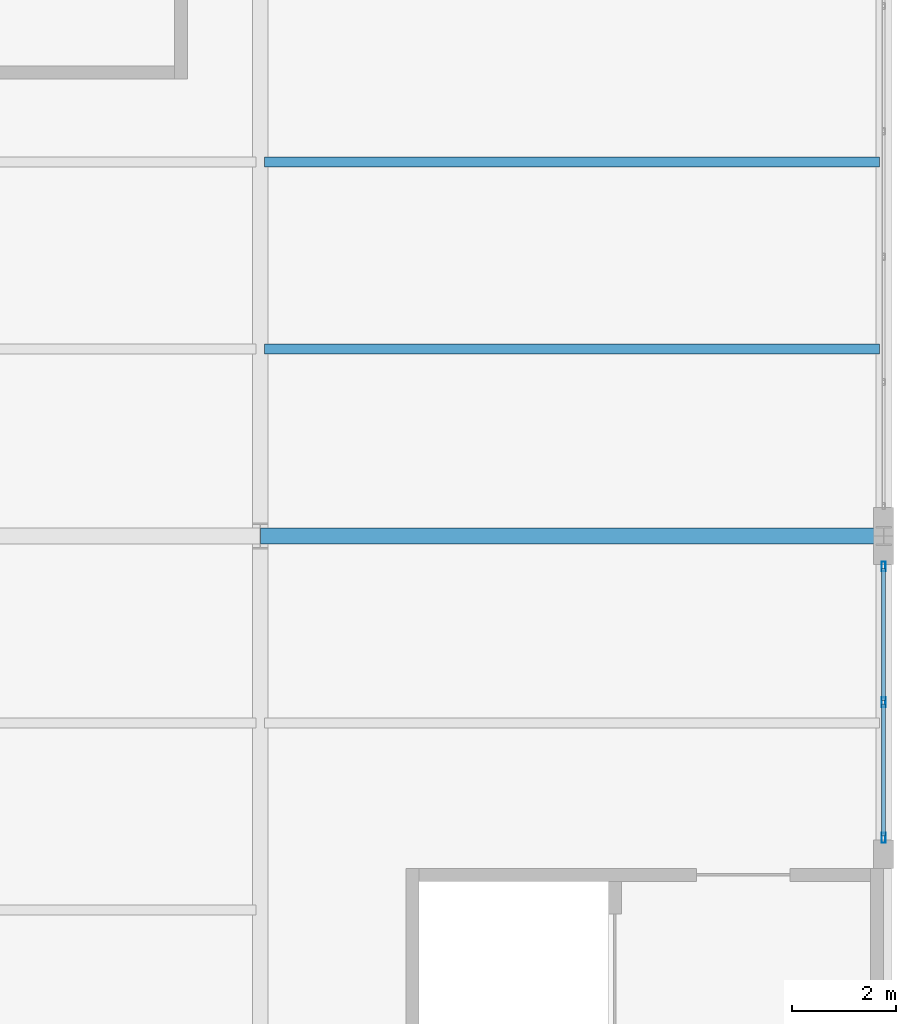
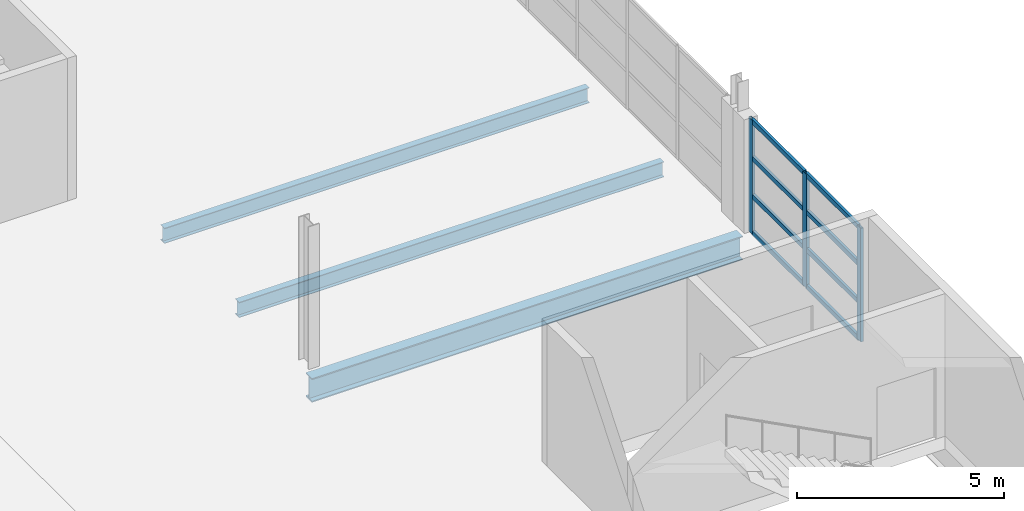
# One storey, part 106 of 147: 11 members, 3 beams, 1 element without a shape of its own.
"""IFC4 building model written with IfcOpenShell, lengths in metres."""

import ifcopenshell
import ifcopenshell.guid

model = None  # the IFC model being written
_history = None  # IfcOwnerHistory: only IFC2X3 demands one
_inside = {}  # id of a spatial element -> (the spatial element, [elements in it])
_under = {}  # id of a project, library or spatial element -> (it, [spatial elements below it])
_declared = {}  # id of a project -> (the project, [libraries it declares])
_typed = {}  # id of a type object -> (the type object, [elements of that type])
_made_of = {}  # id of a material, layer set ... -> (it, [elements and type objects made of it])


def new_model(schema):
    """Start an empty IFC model of exactly this schema.

    Asked for "IFC4X3", IfcOpenShell would pick the latest addendum, in which some entities
    have other attributes; the version numbers below select the first issue.
    IFC2X3 requires an IfcOwnerHistory on every rooted entity: one is made here for all.
    """
    global model, _history
    if schema == "IFC4X3":
        model = ifcopenshell.file(schema_version=(4, 3, 0, 0))
    else:
        model = ifcopenshell.file(schema=schema)
    _inside.clear()
    _under.clear()
    _declared.clear()
    _typed.clear()
    _made_of.clear()
    _history = None
    if model.schema == "IFC2X3":
        org = make("IfcOrganization", Name="unknown")
        user = make(
            "IfcPersonAndOrganization",
            ThePerson=make("IfcPerson", FamilyName="unknown"),
            TheOrganization=org,
        )
        app = make(
            "IfcApplication",
            ApplicationDeveloper=org,
            Version="unknown",
            ApplicationFullName="unknown",
            ApplicationIdentifier="unknown",
        )
        _history = make(
            "IfcOwnerHistory",
            OwningUser=user,
            OwningApplication=app,
            ChangeAction="ADDED",
            CreationDate=0,
        )
    return model


def make(cls, **values):
    """One entity of the class cls with the attributes given. An attribute that is None is left unset."""
    return model.create_entity(
        cls, **{name: value for name, value in values.items() if value is not None}
    )


def rooted(cls, **values):
    """An entity with a GlobalId (a new one), such as an element, a storey or a relation."""
    return make(cls, GlobalId=ifcopenshell.guid.new(), OwnerHistory=_history, **values)


def si_unit(unit_type, name, prefix=None):
    """IfcSIUnit, for example si_unit("LENGTHUNIT", "METRE", prefix="MILLI")."""
    return make("IfcSIUnit", UnitType=unit_type, Prefix=prefix, Name=name)


def assignment(units):
    """IfcUnitAssignment: the units of a project."""
    return None if units is None else make("IfcUnitAssignment", Units=units)


def point(xyz):
    """IfcCartesianPoint."""
    return None if xyz is None else make("IfcCartesianPoint", Coordinates=xyz)


def direction(xyz):
    """IfcDirection."""
    return None if xyz is None else make("IfcDirection", DirectionRatios=xyz)


def frame(location, z_axis=None, x_axis=None):
    """IfcAxis2Placement3D, a coordinate frame: its origin and axes. An axis left out is left unset."""
    return make(
        "IfcAxis2Placement3D",
        Location=point(location),
        Axis=direction(z_axis),
        RefDirection=direction(x_axis),
    )


def frame_2d(location, x_axis=None):
    """IfcAxis2Placement2D, a coordinate frame in the plane: its origin and x axis."""
    return make(
        "IfcAxis2Placement2D", Location=point(location), RefDirection=direction(x_axis)
    )


def origin():
    """The frame at (0, 0, 0) with its axes left unset."""
    return frame((0.0, 0.0, 0.0))


def origin_2d():
    """The frame at (0, 0) in the plane with its x axis left unset."""
    return frame_2d((0.0, 0.0))


def place(relative_to, where):
    """IfcLocalPlacement: puts the frame where relative to a parent placement (None: the world)."""
    return make(
        "IfcLocalPlacement", PlacementRelTo=relative_to, RelativePlacement=where
    )


def context(
    kind, dimensions, precision=None, world=None, true_north=None, identifier=None
):
    """IfcGeometricRepresentationContext, for example the 3D "Model" context."""
    return make(
        "IfcGeometricRepresentationContext",
        ContextIdentifier=identifier,
        ContextType=kind,
        CoordinateSpaceDimension=dimensions,
        Precision=precision,
        WorldCoordinateSystem=world,
        TrueNorth=true_north,
    )


def subcontext(parent, identifier, kind, view, scale=None):
    """IfcGeometricRepresentationSubContext, for example "Body" below "Model"."""
    return make(
        "IfcGeometricRepresentationSubContext",
        ContextIdentifier=identifier,
        ContextType=kind,
        ParentContext=parent,
        TargetScale=scale,
        TargetView=view,
    )


def project(units=None, contexts=None):
    """IfcProject with its units and contexts."""
    return rooted(
        "IfcProject",
        Name="project",
        RepresentationContexts=contexts,
        UnitsInContext=assignment(units),
    )


def spatial(cls, under=None, at=None, **own):
    """A site, building, storey or space (cls), placed at a placement, below another one or the project."""
    s = rooted(cls, ObjectPlacement=at, **own)
    if under is not None:
        _under.setdefault(under.id(), (under, []))[1].append(s)
    return s


def profile(cls, at=None, kind="AREA", **sizes):
    """A parametric profile (cls). Its sizes go by their IFC names, for example OverallWidth=200.0."""
    return make(cls, ProfileType=kind, Position=at, **sizes)


def hollow_rectangle(**sizes):
    """IfcRectangleHollowProfileDef."""
    return profile("IfcRectangleHollowProfileDef", **sizes)


def i_section(**sizes):
    """IfcIShapeProfileDef."""
    return profile("IfcIShapeProfileDef", **sizes)


def extrude(swept, where, along, depth):
    """IfcExtrudedAreaSolid: the profile swept, set in the frame where, extruded along a direction by depth."""
    return make(
        "IfcExtrudedAreaSolid",
        SweptArea=swept,
        Position=where,
        ExtrudedDirection=direction(along),
        Depth=depth,
    )


def shape(context_of_items, identifier, shape_type, items):
    """IfcShapeRepresentation: the items that make up one representation, for example the "Body"."""
    return make(
        "IfcShapeRepresentation",
        ContextOfItems=context_of_items,
        RepresentationIdentifier=identifier,
        RepresentationType=shape_type,
        Items=items,
    )


def material(Name=None, Category=None):
    """IfcMaterial."""
    return make("IfcMaterial", Name=Name, Category=Category)


def layer(
    of_material, thickness, ventilated=None, Name=None, Category=None, Priority=None
):
    """IfcMaterialLayer: one layer of a wall or slab, of a material (None: an air gap)."""
    return make(
        "IfcMaterialLayer",
        Material=of_material,
        LayerThickness=thickness,
        IsVentilated=ventilated,
        Name=Name,
        Category=Category,
        Priority=Priority,
    )


def layer_set(layers, Name=None):
    """IfcMaterialLayerSet."""
    return make("IfcMaterialLayerSet", MaterialLayers=layers, LayerSetName=Name)


def material_profile(
    of_material, cross_section, Name=None, Category=None, Priority=None
):
    """IfcMaterialProfile: a cross section and its material."""
    return make(
        "IfcMaterialProfile",
        Name=Name,
        Material=of_material,
        Profile=cross_section,
        Priority=Priority,
        Category=Category,
    )


def profile_set(profiles, Name=None, composite=None):
    """IfcMaterialProfileSet."""
    return make(
        "IfcMaterialProfileSet",
        Name=Name,
        MaterialProfiles=profiles,
        CompositeProfile=composite,
    )


def made_of(thing, what):
    """Note that an element or type object is made of a material, layer set ...; save() writes the relation."""
    if what is not None:
        _made_of.setdefault(what.id(), (what, []))[1].append(thing)
    return thing


def type_object(cls, material=None, **own):
    """A type object (cls), such as IfcWallType, which elements share."""
    return made_of(rooted(cls, **own), material)


def element(
    cls,
    number,
    at=None,
    inside=None,
    cuts=None,
    type_object=None,
    material=None,
    context=None,
    identifier="Body",
    shape_type=None,
    held_by="IfcProductDefinitionShape",
    body=None,
    shapes=None,
    **own,
):
    """One element of the class cls, such as IfcWall. Its Tag is "e" and its number.

    at: its placement. inside: the storey or other place that contains it. cuts: it is an
    opening in that element (IfcRelVoidsElement). A single representation is given by context,
    identifier, shape_type and body (its items); several are given by shapes. held_by: the class
    of the entity that holds the representations. save() writes the other relations.
    """
    e = rooted(cls, Tag="e%d" % number, ObjectPlacement=at, **own)
    if body is not None:
        shapes = [shape(context, identifier, shape_type, body)]
    if shapes is not None:
        e.Representation = make(held_by, Representations=shapes)
    if inside is not None:
        _inside.setdefault(inside.id(), (inside, []))[1].append(e)
    if cuts is not None:
        rooted(
            "IfcRelVoidsElement", RelatingBuildingElement=cuts, RelatedOpeningElement=e
        )
    if type_object is not None:
        _typed.setdefault(type_object.id(), (type_object, []))[1].append(e)
    return made_of(e, material)


def aggregate(whole, parts):
    """IfcRelAggregates: a whole, such as a stair, and the parts it consists of."""
    return rooted("IfcRelAggregates", RelatingObject=whole, RelatedObjects=parts)


def save(model, path):
    """Write the relations noted so far, then the file.

    IfcRelAggregates (storeys below a building ...), IfcRelContainedInSpatialStructure (elements
    in a storey), IfcRelDefinesByType, IfcRelAssociatesMaterial and IfcRelDeclares: one each for
    every whole, place, type object, material and project.
    """
    for whole, parts in _under.values():
        aggregate(whole, parts)
    for where, things in _inside.values():
        rooted(
            "IfcRelContainedInSpatialStructure",
            RelatedElements=things,
            RelatingStructure=where,
        )
    for kind, things in _typed.values():
        rooted("IfcRelDefinesByType", RelatedObjects=things, RelatingType=kind)
    for what, things in _made_of.values():
        rooted("IfcRelAssociatesMaterial", RelatedObjects=things, RelatingMaterial=what)
    for by, libraries in _declared.values():
        rooted("IfcRelDeclares", RelatingContext=by, RelatedDefinitions=libraries)
    model.write(path)


model = new_model("IFC4")

# Units and contexts
model_context = context("Model", 3, precision=1e-05, world=origin(), true_north=direction((0.0, 1.0)))
body_context = subcontext(model_context, "Body", "Model", "MODEL_VIEW")
ifc_project = project(units=[si_unit("LENGTHUNIT", "METRE"), si_unit("AREAUNIT", "SQUARE_METRE"), si_unit("VOLUMEUNIT", "CUBIC_METRE"), si_unit("PLANEANGLEUNIT", "RADIAN"), si_unit("MASSUNIT", "GRAM", prefix="KILO")], contexts=[model_context])

# Site, building, storey
site_placement = place(None, origin())
site = spatial("IfcSite", under=ifc_project, at=site_placement, CompositionType="ELEMENT")
building_placement = place(site_placement, origin())
building = spatial("IfcBuilding", under=site, at=building_placement, Name="Zilviju Railside Exhibition Hall", CompositionType="ELEMENT")
storey_placement = place(building_placement, frame((0.0, 0.0, 8.39990234375)))
storey = spatial("IfcBuildingStorey", under=building, at=storey_placement, Name="L03", CompositionType="ELEMENT", Elevation=8.39990234375)

# Beams
ifc_material_1 = material(Name="Steel S355J2", Category="steel")
ifc_material_profile_1 = material_profile(ifc_material_1, i_section(OverallWidth=0.300048828125, OverallDepth=0.699951171875, WebThickness=0.01708984375, FlangeThickness=0.031982421875, at=origin_2d()), Name="HEB 700")
ifc_profile_set_1 = profile_set([ifc_material_profile_1], Name="Steel S355J2")
beam_type_1 = type_object("IfcBeamType", Name="BM-HEB700", PredefinedType="BEAM", material=ifc_profile_set_1)
beam_placement = place(storey_placement, frame((204.0, 120.0, -0.72998046875), z_axis=(1.0, 0.0, 0.0), x_axis=(0.0, 1.0, 0.0)))
element("IfcBeam", 1, at=beam_placement, inside=storey, type_object=beam_type_1, Name="Primary Girder L03 Y=120.0 (204.0..216.0)", PredefinedType="BEAM", context=body_context, shape_type="SweptSolid", body=[
    extrude(i_section(OverallWidth=0.300048828125, OverallDepth=0.699951171875, WebThickness=0.01708984375, FlangeThickness=0.031982421875, at=origin_2d()), origin(), (0.0, 0.0, 1.0), 12.0),
])
ifc_material_profile_2 = material_profile(ifc_material_1, i_section(OverallWidth=0.18994140625, OverallDepth=0.449951171875, WebThickness=0.009521484375, FlangeThickness=0.0146484375, at=origin_2d()), Name="IPE 450")
ifc_profile_set_2 = profile_set([ifc_material_profile_2], Name="Steel S355J2")
beam_type_2 = type_object("IfcBeamType", Name="BM-IPE450", PredefinedType="JOIST", material=ifc_profile_set_2)
for number, where, z_axis, x_axis, name in (
    (2, (204.080078125, 123.60009765625, -0.60498046875), (1.0, 0.0, 0.0), (0.0, 1.0, 0.0), "Composite Floor Joist L03 Y=123.60 (204.0..216.0)"),
    (3, (204.080078125, 127.199951171875, -0.60498046875), (1.0, 0.0, 0.0), (0.0, 1.0, 0.0), "Composite Floor Joist L03 Y=127.20 (204.0..216.0)"),
):
    element("IfcBeam", number, at=place(storey_placement, frame(where, z_axis=z_axis, x_axis=x_axis)), inside=storey, type_object=beam_type_2, Name=name, PredefinedType="JOIST", context=body_context, shape_type="SweptSolid", body=[
        extrude(i_section(OverallWidth=0.18994140625, OverallDepth=0.449951171875, WebThickness=0.009521484375, FlangeThickness=0.0146484375, at=origin_2d()), origin(), (0.0, 0.0, 1.0), 11.83984375),
    ])

# Curtain wall, members
ifc_material_2 = material(Name="Thermally broken aluminium-steel triple-glazed curtain wall", Category="steel")
ifc_layer = layer(ifc_material_2, 0.179931640625)
ifc_layer_set = layer_set([ifc_layer], Name="Thermally broken aluminium-steel triple-glazed curtain wall")
curtain_wall_type = type_object("IfcCurtainWallType", Name="CW-BAY-09", PredefinedType="USERDEFINED", material=ifc_layer_set)
curtain_wall_placement = place(storey_placement, origin())
curtain_wall = element("IfcCurtainWall", 4, at=curtain_wall_placement, inside=storey, type_object=curtain_wall_type, Name="North Hall East Glazed Gable L03 (114..120)", ObjectType="GLAZED CURTAIN WALL", PredefinedType="USERDEFINED")
ifc_material_3 = material(Name="Thermally broken anodized aluminium mullion", Category="aluminium")
ifc_material_profile_3 = material_profile(ifc_material_3, hollow_rectangle(XDim=0.074951171875, YDim=0.18994140625, WallThickness=0.0048828125, at=origin_2d()), Name="MULLION 190x75x5")
ifc_profile_set_3 = profile_set([ifc_material_profile_3], Name="Thermally broken anodized aluminium mullion")
member_type_1 = type_object("IfcMemberType", Name="CWM-75x190", PredefinedType="MULLION", material=ifc_profile_set_3)
member_1_placement = place(storey_placement, frame((216.0, 119.41259765625, 0.0), z_axis=(0.0, 0.0, 1.0), x_axis=(1.0, 0.0, 0.0)))
member_1 = element("IfcMember", 5, at=member_1_placement, type_object=member_type_1, Name="CW-09 mullion 1", PredefinedType="MULLION", context=body_context, shape_type="SweptSolid", body=[
    extrude(hollow_rectangle(XDim=0.074951171875, YDim=0.18994140625, WallThickness=0.0048828125, at=origin_2d()), origin(), (0.0, 0.0, 1.0), 3.35009765625),
])
member_2_placement = place(storey_placement, frame((216.0, 116.800048828125, 0.0), z_axis=(0.0, 0.0, 1.0), x_axis=(1.0, 0.0, 0.0)))
member_2 = element("IfcMember", 6, at=member_2_placement, type_object=member_type_1, Name="CW-09 mullion 2", PredefinedType="MULLION", context=body_context, shape_type="SweptSolid", body=[
    extrude(hollow_rectangle(XDim=0.074951171875, YDim=0.18994140625, WallThickness=0.0048828125, at=origin_2d()), origin(), (0.0, 0.0, 1.0), 3.35009765625),
])
member_3_placement = place(storey_placement, frame((216.0, 114.1875, 0.0), z_axis=(0.0, 0.0, 1.0), x_axis=(1.0, 0.0, 0.0)))
member_3 = element("IfcMember", 7, at=member_3_placement, type_object=member_type_1, Name="CW-09 mullion 3", PredefinedType="MULLION", context=body_context, shape_type="SweptSolid", body=[
    extrude(hollow_rectangle(XDim=0.074951171875, YDim=0.18994140625, WallThickness=0.0048828125, at=origin_2d()), origin(), (0.0, 0.0, 1.0), 3.35009765625),
])
ifc_material_4 = material(Name="Thermally broken anodized aluminium transom", Category="aluminium")
ifc_material_profile_4 = material_profile(ifc_material_4, hollow_rectangle(XDim=0.074951171875, YDim=0.139892578125, WallThickness=0.0048828125, at=origin_2d()), Name="TRANSOM 140x75x5")
ifc_profile_set_4 = profile_set([ifc_material_profile_4], Name="Thermally broken anodized aluminium transom")
member_type_2 = type_object("IfcMemberType", Name="CWT-75x140", PredefinedType="USERDEFINED", material=ifc_profile_set_4)
member_4_placement = place(storey_placement, frame((216.0, 119.375, 0.03759765625), z_axis=(0.0, -1.0, 0.0), x_axis=(1.0, 0.0, 0.0)))
member_4 = element("IfcMember", 8, at=member_4_placement, type_object=member_type_2, Name="CW-09 transom 1.1", ObjectType="TRANSOM", PredefinedType="USERDEFINED", context=body_context, shape_type="SweptSolid", body=[
    extrude(hollow_rectangle(XDim=0.074951171875, YDim=0.139892578125, WallThickness=0.0048828125, at=origin_2d()), origin(), (0.0, 0.0, 1.0), 2.53759765625),
])
member_5_placement = place(storey_placement, frame((216.0, 119.375, 1.1171875), z_axis=(0.0, -1.0, 0.0), x_axis=(1.0, 0.0, 0.0)))
member_5 = element("IfcMember", 9, at=member_5_placement, type_object=member_type_2, Name="CW-09 transom 1.2", ObjectType="TRANSOM", PredefinedType="USERDEFINED", context=body_context, shape_type="SweptSolid", body=[
    extrude(hollow_rectangle(XDim=0.074951171875, YDim=0.139892578125, WallThickness=0.0048828125, at=origin_2d()), origin(), (0.0, 0.0, 1.0), 2.53759765625),
])
member_6_placement = place(storey_placement, frame((216.0, 119.375, 2.233154296875), z_axis=(0.0, -1.0, 0.0), x_axis=(1.0, 0.0, 0.0)))
member_6 = element("IfcMember", 10, at=member_6_placement, type_object=member_type_2, Name="CW-09 transom 1.3", ObjectType="TRANSOM", PredefinedType="USERDEFINED", context=body_context, shape_type="SweptSolid", body=[
    extrude(hollow_rectangle(XDim=0.074951171875, YDim=0.139892578125, WallThickness=0.0048828125, at=origin_2d()), origin(), (0.0, 0.0, 1.0), 2.53759765625),
])
member_7_placement = place(storey_placement, frame((216.0, 119.375, 3.3125), z_axis=(0.0, -1.0, 0.0), x_axis=(1.0, 0.0, 0.0)))
member_7 = element("IfcMember", 11, at=member_7_placement, type_object=member_type_2, Name="CW-09 transom 1.4", ObjectType="TRANSOM", PredefinedType="USERDEFINED", context=body_context, shape_type="SweptSolid", body=[
    extrude(hollow_rectangle(XDim=0.074951171875, YDim=0.139892578125, WallThickness=0.0048828125, at=origin_2d()), origin(), (0.0, 0.0, 1.0), 2.53759765625),
])
member_8_placement = place(storey_placement, frame((216.0, 116.762451171875, 0.03759765625), z_axis=(0.0, -1.0, 0.0), x_axis=(1.0, 0.0, 0.0)))
member_8 = element("IfcMember", 12, at=member_8_placement, type_object=member_type_2, Name="CW-09 transom 2.1", ObjectType="TRANSOM", PredefinedType="USERDEFINED", context=body_context, shape_type="SweptSolid", body=[
    extrude(hollow_rectangle(XDim=0.074951171875, YDim=0.139892578125, WallThickness=0.0048828125, at=origin_2d()), origin(), (0.0, 0.0, 1.0), 2.537353515625),
])
member_9_placement = place(storey_placement, frame((216.0, 116.762451171875, 1.1171875), z_axis=(0.0, -1.0, 0.0), x_axis=(1.0, 0.0, 0.0)))
member_9 = element("IfcMember", 13, at=member_9_placement, type_object=member_type_2, Name="CW-09 transom 2.2", ObjectType="TRANSOM", PredefinedType="USERDEFINED", context=body_context, shape_type="SweptSolid", body=[
    extrude(hollow_rectangle(XDim=0.074951171875, YDim=0.139892578125, WallThickness=0.0048828125, at=origin_2d()), origin(), (0.0, 0.0, 1.0), 2.537353515625),
])
member_10_placement = place(storey_placement, frame((216.0, 116.762451171875, 2.233154296875), z_axis=(0.0, -1.0, 0.0), x_axis=(1.0, 0.0, 0.0)))
member_10 = element("IfcMember", 14, at=member_10_placement, type_object=member_type_2, Name="CW-09 transom 2.3", ObjectType="TRANSOM", PredefinedType="USERDEFINED", context=body_context, shape_type="SweptSolid", body=[
    extrude(hollow_rectangle(XDim=0.074951171875, YDim=0.139892578125, WallThickness=0.0048828125, at=origin_2d()), origin(), (0.0, 0.0, 1.0), 2.537353515625),
])
member_11_placement = place(storey_placement, frame((216.0, 116.762451171875, 3.3125), z_axis=(0.0, -1.0, 0.0), x_axis=(1.0, 0.0, 0.0)))
member_11 = element("IfcMember", 15, at=member_11_placement, type_object=member_type_2, Name="CW-09 transom 2.4", ObjectType="TRANSOM", PredefinedType="USERDEFINED", context=body_context, shape_type="SweptSolid", body=[
    extrude(hollow_rectangle(XDim=0.074951171875, YDim=0.139892578125, WallThickness=0.0048828125, at=origin_2d()), origin(), (0.0, 0.0, 1.0), 2.537353515625),
])
aggregate(curtain_wall, [member_1, member_2, member_3, member_4, member_5, member_6, member_7, member_8, member_9, member_10, member_11])

save(model, "model.ifc")
